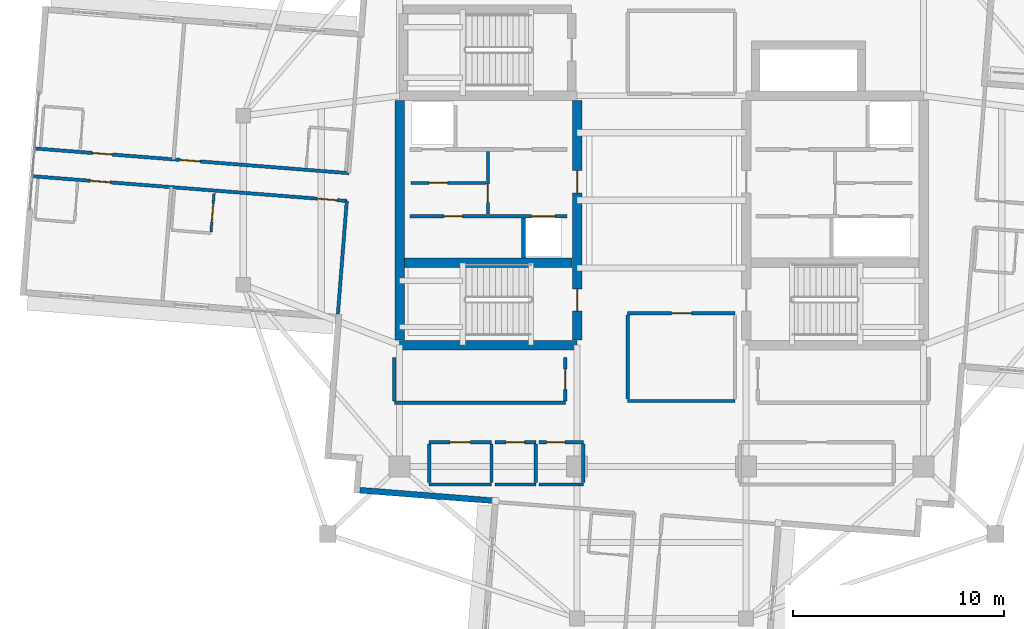
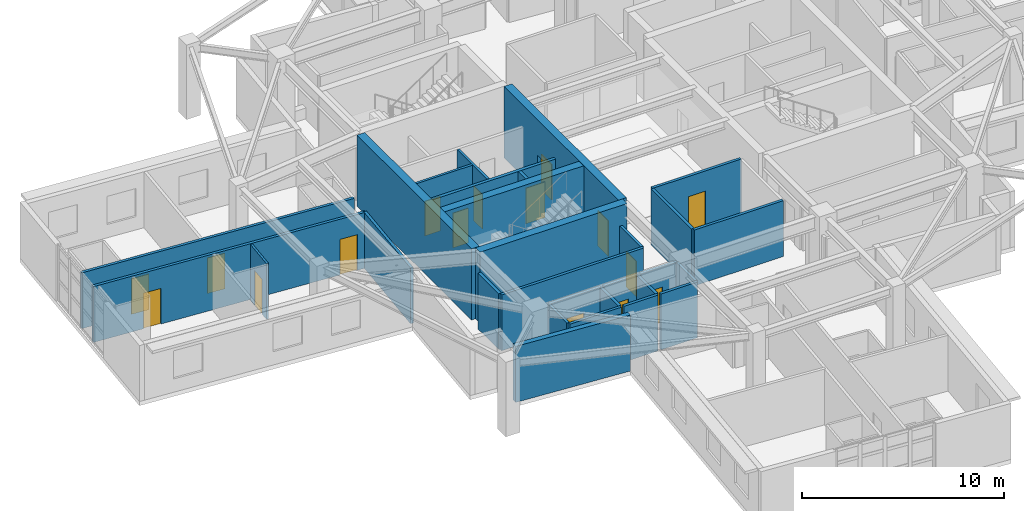
# One storey, part 14 of 23: 29 walls, 16 doors, 16 openings.
"""IFC4 building model written with IfcOpenShell, lengths in metres."""

from ifc_helpers import new_model, si_unit, direction, frame, frame_2d, origin, place, context, subcontext, project, spatial, rectangle, extrude, material, layer, layer_set, type_object, element, fill, save


model = new_model("IFC4")

# Units and contexts
model_context = context("Model", 3, precision=1e-05, world=origin(), true_north=direction((0.0, 1.0)))
body_context = subcontext(model_context, "Body", "Model", "MODEL_VIEW")
ifc_project = project(units=[si_unit("LENGTHUNIT", "METRE"), si_unit("AREAUNIT", "SQUARE_METRE"), si_unit("VOLUMEUNIT", "CUBIC_METRE"), si_unit("PLANEANGLEUNIT", "RADIAN"), si_unit("MASSUNIT", "GRAM", prefix="KILO")], contexts=[model_context])

# Site, building, storey
site_placement = place(None, origin())
site = spatial("IfcSite", under=ifc_project, at=site_placement, CompositionType="ELEMENT")
building_placement = place(site_placement, origin())
building = spatial("IfcBuilding", under=site, at=building_placement, Name="Qingluan Cross Belvedere", CompositionType="ELEMENT")
storey_placement = place(building_placement, frame((0.0, 0.0, 245.39990234375)))
storey = spatial("IfcBuildingStorey", under=building, at=storey_placement, Name="L61", CompositionType="ELEMENT", Elevation=245.39990234375)

# Walls
ifc_material_1 = material(Name="Concrete C50", Category="concrete")
ifc_layer_1 = layer(ifc_material_1, 0.449951171875, Name="CoreShearWall_450")
ifc_layer_set_1 = layer_set([ifc_layer_1], Name="Concrete C50")
wall_type_1 = type_object("IfcWallType", Name="CoreShearWall_450", PredefinedType="SHEAR", material=ifc_layer_set_1)
wall_1_placement = place(storey_placement, frame((-12.39990234375, -6.85009765625, 0.0), z_axis=(0.0, 0.0, 1.0), x_axis=(1.0, 0.0, 0.0)))
element("IfcWall", 1, at=wall_1_placement, inside=storey, type_object=wall_type_1, Name="Split core W shear wall L61-S", PredefinedType="SHEAR", context=body_context, shape_type="SweptSolid", body=[
    extrude(rectangle(XDim=8.39990234375, YDim=0.449951171875, at=frame_2d((4.199951171875, 0.0))), origin(), (0.0, 0.0, 1.0), 4.300048828125),
])
wall_2_placement = place(storey_placement, frame((-12.39990234375, -6.6201171875, 0.0), z_axis=(0.0, 0.0, 1.0), x_axis=(0.0, 1.0, 0.0)))
element("IfcWall", 2, at=wall_2_placement, inside=storey, type_object=wall_type_1, Name="Split core W shear wall L61-W", PredefinedType="SHEAR", context=body_context, shape_type="SweptSolid", body=[
    extrude(rectangle(XDim=11.340087890625, YDim=0.449951171875, at=frame_2d((5.669921875, 0.0))), origin(), (0.0, 0.0, 1.0), 4.300048828125),
])

# Wall, openings, doors
wall_3_placement = place(storey_placement, frame((-4.0, -6.6201171875, 0.0), z_axis=(0.0, 0.0, 1.0), x_axis=(0.0, 1.0, 0.0)))
wall_3 = element("IfcWall", 3, at=wall_3_placement, inside=storey, type_object=wall_type_1, Name="Split core W shear wall L61-E", PredefinedType="SHEAR", context=body_context, shape_type="SweptSolid", body=[
    extrude(rectangle(XDim=11.340087890625, YDim=0.449951171875, at=frame_2d((5.669921875, 0.0))), origin(), (0.0, 0.0, 1.0), 4.300048828125),
])
opening_1_placement = place(wall_3_placement, frame((1.3701171875, 0.0, 0.0)))
opening_1 = element("IfcOpeningElement", 4, at=opening_1_placement, cuts=wall_3, Name="Opening FD-B11", PredefinedType="OPENING", context=body_context, shape_type="SweptSolid", body=[
    extrude(rectangle(XDim=1.050048828125, YDim=2.14990234375, at=frame_2d((0.52490234375, 1.074951171875))), frame((0.0, 0.23486328125, 0.0), z_axis=(0.0, -1.0, 0.0), x_axis=(1.0, 0.0, 0.0)), (0.0, 0.0, 1.0), 0.469970703125),
])
opening_2_placement = place(wall_3_placement, frame((6.969970703125, 0.0, 0.0)))
opening_2 = element("IfcOpeningElement", 5, at=opening_2_placement, cuts=wall_3, Name="Opening FD-B11", PredefinedType="OPENING", context=body_context, shape_type="SweptSolid", body=[
    extrude(rectangle(XDim=1.050048828125, YDim=2.14990234375, at=frame_2d((0.52490234375, 1.074951171875))), frame((0.0, 0.23486328125, 0.0), z_axis=(0.0, -1.0, 0.0), x_axis=(1.0, 0.0, 0.0)), (0.0, 0.0, 1.0), 0.469970703125),
])
ifc_material_2 = material(Name="Steel Class B smoke-seal fire door", Category="steel")
door_type_1 = type_object("IfcDoorType", Name="StairLobbyFireDoor_FDB", OperationType="NOTDEFINED", PredefinedType="DOOR", material=ifc_material_2)
door_1_placement = place(opening_1_placement, origin())
door_1 = element("IfcDoor", 6, at=door_1_placement, inside=storey, type_object=door_type_1, Name="Smoke-proof stair ST1 fire door L61", OperationType="SINGLE_SWING_LEFT", OverallHeight=2.14990234375, OverallWidth=1.050048828125, PredefinedType="DOOR", context=body_context, shape_type="SweptSolid", body=[
    extrude(rectangle(XDim=1.050048828125, YDim=2.14990234375, at=frame_2d((0.52490234375, 1.074951171875))), frame((0.0, 0.02490234375, 0.0), z_axis=(0.0, -1.0, 0.0), x_axis=(1.0, 0.0, 0.0)), (0.0, 0.0, 1.0), 0.050048828125),
])
fill(opening_1, door_1)
door_2_placement = place(opening_2_placement, origin())
door_2 = element("IfcDoor", 7, at=door_2_placement, inside=storey, type_object=door_type_1, Name="Firefighting lobby West fire door L61", OperationType="SINGLE_SWING_LEFT", OverallHeight=2.14990234375, OverallWidth=1.050048828125, PredefinedType="DOOR", context=body_context, shape_type="SweptSolid", body=[
    extrude(rectangle(XDim=1.050048828125, YDim=2.14990234375, at=frame_2d((0.52490234375, 1.074951171875))), frame((0.0, 0.02490234375, 0.0), z_axis=(0.0, -1.0, 0.0), x_axis=(1.0, 0.0, 0.0)), (0.0, 0.0, 1.0), 0.050048828125),
])
fill(opening_2, door_2)

# Wall
wall_4_placement = place(storey_placement, frame((-12.169921875, -2.9599609375, 0.0), z_axis=(0.0, 0.0, 1.0), x_axis=(1.0, 0.0, 0.0)))
element("IfcWall", 8, at=wall_4_placement, inside=storey, type_object=wall_type_1, Name="Split core W shear wall L61-M", PredefinedType="SHEAR", context=body_context, shape_type="SweptSolid", body=[
    extrude(rectangle(XDim=7.93994140625, YDim=0.449951171875, at=frame_2d((3.969970703125, 0.0))), origin(), (0.0, 0.0, 1.0), 4.300048828125),
])

# Wall, opening, door
ifc_material_3 = material(Name="Gypsum plasterboard on steel stud acoustic partition", Category="steel")
ifc_layer_2 = layer(ifc_material_3, 0.159912109375, Name="CorridorPartition_160")
ifc_layer_set_2 = layer_set([ifc_layer_2], Name="Gypsum plasterboard on steel stud acoustic partition")
wall_type_2 = type_object("IfcWallType", Name="CorridorPartition_160", PredefinedType="PARTITIONING", material=ifc_layer_set_2)
wall_5_placement = place(storey_placement, frame((-11.85009765625, 0.830078125, 0.0), z_axis=(0.0, 0.0, 1.0), x_axis=(1.0, 0.0, 0.0)))
wall_5 = element("IfcWall", 9, at=wall_5_placement, inside=storey, type_object=wall_type_2, Name="Partition L61:w", PredefinedType="PARTITIONING", context=body_context, shape_type="SweptSolid", body=[
    extrude(rectangle(XDim=3.552001953125, YDim=0.139892578125, at=frame_2d((1.77587890625, 0.0))), origin(), (0.0, 0.0, 1.0), 3.3701171875),
])
opening_3_placement = place(wall_5_placement, frame((0.85009765625, 0.0, 0.0)))
opening_3 = element("IfcOpeningElement", 10, at=opening_3_placement, cuts=wall_5, Name="Opening FD-B10", PredefinedType="OPENING", context=body_context, shape_type="SweptSolid", body=[
    extrude(rectangle(XDim=0.8798828125, YDim=2.10009765625, at=frame_2d((0.43994140625, 1.050048828125))), frame((0.0, 0.079833984375, 0.0), z_axis=(0.0, -1.0, 0.0), x_axis=(1.0, 0.0, 0.0)), (0.0, 0.0, 1.0), 0.159912109375),
])
ifc_material_4 = material(Name="Steel Class B service fire door", Category="steel")
door_type_2 = type_object("IfcDoorType", Name="RiserServiceFireDoor_FDB", OperationType="NOTDEFINED", PredefinedType="DOOR", material=ifc_material_4)
door_3_placement = place(opening_3_placement, origin())
door_3 = element("IfcDoor", 11, at=door_3_placement, inside=storey, type_object=door_type_2, Name="Service closet inner door L61", OperationType="SINGLE_SWING_RIGHT", OverallHeight=2.10009765625, OverallWidth=0.8798828125, PredefinedType="DOOR", context=body_context, shape_type="SweptSolid", body=[
    extrude(rectangle(XDim=0.8798828125, YDim=2.10009765625, at=frame_2d((0.43994140625, 1.050048828125))), frame((0.0, 0.02490234375, 0.0), z_axis=(0.0, -1.0, 0.0), x_axis=(1.0, 0.0, 0.0)), (0.0, 0.0, 1.0), 0.050048828125),
])
fill(opening_3, door_3)

# Wall
wall_6_placement = place(storey_placement, frame((-11.0, -13.449951171875, 0.0), z_axis=(0.0, 0.0, 1.0), x_axis=(1.0, 0.0, 0.0)))
element("IfcWall", 12, at=wall_6_placement, inside=storey, type_object=wall_type_2, Name="Partition L61:q_sw_occ:S", PredefinedType="PARTITIONING", context=body_context, shape_type="SweptSolid", body=[
    extrude(rectangle(XDim=2.949951171875, YDim=0.159912109375, at=frame_2d((1.47509765625, 0.0))), origin(), (0.0, 0.0, 1.0), 3.3701171875),
])

# Wall, opening, door
wall_7_placement = place(storey_placement, frame((-11.0, -11.449951171875, 0.0), z_axis=(0.0, 0.0, 1.0), x_axis=(1.0, 0.0, 0.0)))
wall_7 = element("IfcWall", 13, at=wall_7_placement, inside=storey, type_object=wall_type_2, Name="Partition L61:q_sw_occ:N", PredefinedType="PARTITIONING", context=body_context, shape_type="SweptSolid", body=[
    extrude(rectangle(XDim=2.949951171875, YDim=0.159912109375, at=frame_2d((1.47509765625, 0.0))), origin(), (0.0, 0.0, 1.0), 3.3701171875),
])
opening_4_placement = place(wall_7_placement, frame((0.9951171875, 0.0, 0.0)))
opening_4 = element("IfcOpeningElement", 14, at=opening_4_placement, cuts=wall_7, Name="Opening GD-10", PredefinedType="OPENING", context=body_context, shape_type="SweptSolid", body=[
    extrude(rectangle(XDim=0.9599609375, YDim=2.14990234375, at=frame_2d((0.47998046875, 1.074951171875))), frame((0.0, 0.08984375, 0.0), z_axis=(0.0, -1.0, 0.0), x_axis=(1.0, 0.0, 0.0)), (0.0, 0.0, 1.0), 0.179931640625),
])
ifc_material_5 = material(Name="Timber oak fire-rated acoustic guestroom door", Category="wood")
door_type_3 = type_object("IfcDoorType", Name="GuestEntryDoor_FD60", OperationType="NOTDEFINED", PredefinedType="DOOR", material=ifc_material_5)
door_4_placement = place(opening_4_placement, origin())
door_4 = element("IfcDoor", 15, at=door_4_placement, inside=storey, type_object=door_type_3, Name="Rare book study L61 door", OperationType="SINGLE_SWING_LEFT", OverallHeight=2.14990234375, OverallWidth=0.9599609375, PredefinedType="DOOR", context=body_context, shape_type="SweptSolid", body=[
    extrude(rectangle(XDim=0.9599609375, YDim=2.14990234375, at=frame_2d((0.47998046875, 1.074951171875))), frame((0.0, 0.02490234375, 0.0), z_axis=(0.0, -1.0, 0.0), x_axis=(1.0, 0.0, 0.0)), (0.0, 0.0, 1.0), 0.050048828125),
])
fill(opening_4, door_4)

# Walls
for number, where, z_axis, x_axis, name in (
    (16, (-11.0, -13.364990234375, 0.0), (0.0, 0.0, 1.0), (0.0, 1.0, 0.0), "Partition L61:q_sw_occ:W"),
    (17, (-8.050048828125, -13.364990234375, 0.0), (0.0, 0.0, 1.0), (0.0, 1.0, 0.0), "Partition L61:q_sw_occ:E"),
):
    element("IfcWall", number, at=place(storey_placement, frame(where, z_axis=z_axis, x_axis=x_axis)), inside=storey, type_object=wall_type_2, Name=name, PredefinedType="PARTITIONING", context=body_context, shape_type="SweptSolid", body=[
        extrude(rectangle(XDim=1.830078125, YDim=0.159912109375, at=frame_2d((0.9150390625, 0.0))), origin(), (0.0, 0.0, 1.0), 3.3701171875),
    ])
wall_8_placement = place(storey_placement, frame((-7.889892578125, -13.449951171875, 0.0), z_axis=(0.0, 0.0, 1.0), x_axis=(1.0, 0.0, 0.0)))
element("IfcWall", 18, at=wall_8_placement, inside=storey, type_object=wall_type_2, Name="Partition L61:hk_linen:S", PredefinedType="PARTITIONING", context=body_context, shape_type="SweptSolid", body=[
    extrude(rectangle(XDim=1.93994140625, YDim=0.159912109375, at=frame_2d((0.969970703125, 0.0))), origin(), (0.0, 0.0, 1.0), 3.3701171875),
])

# Wall, opening, door
wall_9_placement = place(storey_placement, frame((-7.889892578125, -11.449951171875, 0.0), z_axis=(0.0, 0.0, 1.0), x_axis=(1.0, 0.0, 0.0)))
wall_9 = element("IfcWall", 19, at=wall_9_placement, inside=storey, type_object=wall_type_2, Name="Partition L61:hk_linen:N", PredefinedType="PARTITIONING", context=body_context, shape_type="SweptSolid", body=[
    extrude(rectangle(XDim=1.93994140625, YDim=0.159912109375, at=frame_2d((0.969970703125, 0.0))), origin(), (0.0, 0.0, 1.0), 3.3701171875),
])
opening_5_placement = place(wall_9_placement, frame((0.530029296875, 0.0, 0.0)))
opening_5 = element("IfcOpeningElement", 20, at=opening_5_placement, cuts=wall_9, Name="Opening FD-B10", PredefinedType="OPENING", context=body_context, shape_type="SweptSolid", body=[
    extrude(rectangle(XDim=0.8798828125, YDim=2.10009765625, at=frame_2d((0.43994140625, 1.050048828125))), frame((0.0, 0.08984375, 0.0), z_axis=(0.0, -1.0, 0.0), x_axis=(1.0, 0.0, 0.0)), (0.0, 0.0, 1.0), 0.179931640625),
])
door_5_placement = place(opening_5_placement, origin())
door_5 = element("IfcDoor", 21, at=door_5_placement, inside=storey, type_object=door_type_2, Name="Housekeeping and linen store L61 door", OperationType="SINGLE_SWING_RIGHT", OverallHeight=2.10009765625, OverallWidth=0.8798828125, PredefinedType="DOOR", context=body_context, shape_type="SweptSolid", body=[
    extrude(rectangle(XDim=0.8798828125, YDim=2.10009765625, at=frame_2d((0.43994140625, 1.050048828125))), frame((0.0, 0.02490234375, 0.0), z_axis=(0.0, -1.0, 0.0), x_axis=(1.0, 0.0, 0.0)), (0.0, 0.0, 1.0), 0.050048828125),
])
fill(opening_5, door_5)

# Walls
wall_10_placement = place(storey_placement, frame((-5.949951171875, -13.364990234375, 0.0), z_axis=(0.0, 0.0, 1.0), x_axis=(0.0, 1.0, 0.0)))
element("IfcWall", 22, at=wall_10_placement, inside=storey, type_object=wall_type_2, Name="Partition L61:hk_linen:E", PredefinedType="PARTITIONING", context=body_context, shape_type="SweptSolid", body=[
    extrude(rectangle(XDim=1.830078125, YDim=0.159912109375, at=frame_2d((0.9150390625, 0.0))), origin(), (0.0, 0.0, 1.0), 3.3701171875),
])
wall_11_placement = place(storey_placement, frame((-5.7900390625, -13.449951171875, 0.0), z_axis=(0.0, 0.0, 1.0), x_axis=(1.0, 0.0, 0.0)))
element("IfcWall", 23, at=wall_11_placement, inside=storey, type_object=wall_type_2, Name="Partition L61:floor_acc_wc:S", PredefinedType="PARTITIONING", context=body_context, shape_type="SweptSolid", body=[
    extrude(rectangle(XDim=2.090087890625, YDim=0.159912109375, at=frame_2d((1.044921875, 0.0))), origin(), (0.0, 0.0, 1.0), 3.3701171875),
])

# Wall, opening, door
wall_12_placement = place(storey_placement, frame((-5.7900390625, -11.449951171875, 0.0), z_axis=(0.0, 0.0, 1.0), x_axis=(1.0, 0.0, 0.0)))
wall_12 = element("IfcWall", 24, at=wall_12_placement, inside=storey, type_object=wall_type_2, Name="Partition L61:floor_acc_wc:N", PredefinedType="PARTITIONING", context=body_context, shape_type="SweptSolid", body=[
    extrude(rectangle(XDim=2.090087890625, YDim=0.159912109375, at=frame_2d((1.044921875, 0.0))), origin(), (0.0, 0.0, 1.0), 3.3701171875),
])
opening_6_placement = place(wall_12_placement, frame((0.35009765625, 0.0, 0.0)))
opening_6 = element("IfcOpeningElement", 25, at=opening_6_placement, cuts=wall_12, Name="Opening BD-08", PredefinedType="OPENING", context=body_context, shape_type="SweptSolid", body=[
    extrude(rectangle(XDim=0.8798828125, YDim=2.14990234375, at=frame_2d((0.43994140625, 1.074951171875))), frame((0.0, 0.08984375, 0.0), z_axis=(0.0, -1.0, 0.0), x_axis=(1.0, 0.0, 0.0)), (0.0, 0.0, 1.0), 0.179931640625),
])
ifc_material_6 = material(Name="Moisture-sealed timber accessible WC door", Category="wood")
door_type_4 = type_object("IfcDoorType", Name="AccessibleWCDoor_880", OperationType="NOTDEFINED", PredefinedType="DOOR", material=ifc_material_6)
door_6_placement = place(opening_6_placement, origin())
door_6 = element("IfcDoor", 26, at=door_6_placement, inside=storey, type_object=door_type_4, Name="Accessible guest washroom L61 door", OperationType="SINGLE_SWING_LEFT", OverallHeight=2.14990234375, OverallWidth=0.8798828125, PredefinedType="DOOR", context=body_context, shape_type="SweptSolid", body=[
    extrude(rectangle(XDim=0.8798828125, YDim=2.14990234375, at=frame_2d((0.43994140625, 1.074951171875))), frame((0.0, 0.02490234375, 0.0), z_axis=(0.0, -1.0, 0.0), x_axis=(1.0, 0.0, 0.0)), (0.0, 0.0, 1.0), 0.050048828125),
])
fill(opening_6, door_6)

# Walls
wall_13_placement = place(storey_placement, frame((-3.699951171875, -13.364990234375, 0.0), z_axis=(0.0, 0.0, 1.0), x_axis=(0.0, 1.0, 0.0)))
element("IfcWall", 27, at=wall_13_placement, inside=storey, type_object=wall_type_2, Name="Partition L61:floor_acc_wc:E", PredefinedType="PARTITIONING", context=body_context, shape_type="SweptSolid", body=[
    extrude(rectangle(XDim=1.830078125, YDim=0.159912109375, at=frame_2d((0.9150390625, 0.0))), origin(), (0.0, 0.0, 1.0), 3.3701171875),
])
wall_14_placement = place(storey_placement, frame((-1.60009765625, -9.5, 0.0), z_axis=(0.0, 0.0, 1.0), x_axis=(1.0, 0.0, 0.0)))
element("IfcWall", 28, at=wall_14_placement, inside=storey, type_object=wall_type_2, Name="Partition L61:sky_south_alcove:S", PredefinedType="PARTITIONING", context=body_context, shape_type="SweptSolid", body=[
    extrude(rectangle(XDim=5.080078125, YDim=0.159912109375, at=frame_2d((2.5400390625, 0.0))), origin(), (0.0, 0.0, 1.0), 3.3701171875),
])

# Wall, opening, door
wall_15_placement = place(storey_placement, frame((-1.60009765625, -5.35009765625, 0.0), z_axis=(0.0, 0.0, 1.0), x_axis=(1.0, 0.0, 0.0)))
wall_15 = element("IfcWall", 29, at=wall_15_placement, inside=storey, type_object=wall_type_2, Name="Partition L61:sky_south_alcove:N", PredefinedType="PARTITIONING", context=body_context, shape_type="SweptSolid", body=[
    extrude(rectangle(XDim=5.080078125, YDim=0.159912109375, at=frame_2d((2.5400390625, 0.0))), origin(), (0.0, 0.0, 1.0), 3.3701171875),
])
opening_7_placement = place(wall_15_placement, frame((2.06005859375, 0.0, 0.0)))
opening_7 = element("IfcOpeningElement", 30, at=opening_7_placement, cuts=wall_15, Name="Opening GD-10", PredefinedType="OPENING", context=body_context, shape_type="SweptSolid", body=[
    extrude(rectangle(XDim=0.9599609375, YDim=2.14990234375, at=frame_2d((0.47998046875, 1.074951171875))), frame((0.0, 0.08984375, 0.0), z_axis=(0.0, -1.0, 0.0), x_axis=(1.0, 0.0, 0.0)), (0.0, 0.0, 1.0), 0.179931640625),
])
door_7_placement = place(opening_7_placement, origin())
door_7 = element("IfcDoor", 31, at=door_7_placement, inside=storey, type_object=door_type_3, Name="South horizon reading alcove L61 door", OperationType="SINGLE_SWING_LEFT", OverallHeight=2.14990234375, OverallWidth=0.9599609375, PredefinedType="DOOR", context=body_context, shape_type="SweptSolid", body=[
    extrude(rectangle(XDim=0.9599609375, YDim=2.14990234375, at=frame_2d((0.47998046875, 1.074951171875))), frame((0.0, 0.02490234375, 0.0), z_axis=(0.0, -1.0, 0.0), x_axis=(1.0, 0.0, 0.0)), (0.0, 0.0, 1.0), 0.050048828125),
])
fill(opening_7, door_7)

# Walls
wall_16_placement = place(storey_placement, frame((-1.60009765625, -9.4150390625, 0.0), z_axis=(0.0, 0.0, 1.0), x_axis=(0.0, 1.0, 0.0)))
element("IfcWall", 32, at=wall_16_placement, inside=storey, type_object=wall_type_2, Name="Partition L61:sky_south_alcove:W", PredefinedType="PARTITIONING", context=body_context, shape_type="SweptSolid", body=[
    extrude(rectangle(XDim=3.97998046875, YDim=0.159912109375, at=frame_2d((1.989990234375, 0.0))), origin(), (0.0, 0.0, 1.0), 3.3701171875),
])
wall_17_placement = place(storey_placement, frame((-12.64990234375, -9.580078125, 0.0), z_axis=(0.0, 0.0, 1.0), x_axis=(1.0, 0.0, 0.0)))
element("IfcWall", 33, at=wall_17_placement, inside=storey, type_object=wall_type_2, Name="Partition L61:rec_st4_w:S", PredefinedType="PARTITIONING", context=body_context, shape_type="SweptSolid", body=[
    extrude(rectangle(XDim=8.099853515625, YDim=0.159912109375, at=frame_2d((4.0498046875, 0.0))), origin(), (0.0, 0.0, 1.0), 3.3701171875),
])
wall_18_placement = place(storey_placement, frame((-12.64990234375, -9.4951171875, 0.0), z_axis=(0.0, 0.0, 1.0), x_axis=(0.0, 1.0, 0.0)))
element("IfcWall", 34, at=wall_18_placement, inside=storey, type_object=wall_type_2, Name="Partition L61:rec_st4_w:W", PredefinedType="PARTITIONING", context=body_context, shape_type="SweptSolid", body=[
    extrude(rectangle(XDim=2.06005859375, YDim=0.159912109375, at=frame_2d((1.030029296875, 0.0))), origin(), (0.0, 0.0, 1.0), 3.3701171875),
])

# Wall, opening, door
wall_19_placement = place(storey_placement, frame((-4.550048828125, -9.4951171875, 0.0), z_axis=(0.0, 0.0, 1.0), x_axis=(0.0, 1.0, 0.0)))
wall_19 = element("IfcWall", 35, at=wall_19_placement, inside=storey, type_object=wall_type_2, Name="Partition L61:rec_st4_w:E", PredefinedType="PARTITIONING", context=body_context, shape_type="SweptSolid", body=[
    extrude(rectangle(XDim=2.06005859375, YDim=0.159912109375, at=frame_2d((1.030029296875, 0.0))), origin(), (0.0, 0.0, 1.0), 3.3701171875),
])
opening_8_placement = place(wall_19_placement, frame((0.550048828125, 0.0, 0.0)))
opening_8 = element("IfcOpeningElement", 36, at=opening_8_placement, cuts=wall_19, Name="Opening GD-10", PredefinedType="OPENING", context=body_context, shape_type="SweptSolid", body=[
    extrude(rectangle(XDim=0.9599609375, YDim=2.14990234375, at=frame_2d((0.47998046875, 1.074951171875))), frame((0.0, 0.08984375, 0.0), z_axis=(0.0, -1.0, 0.0), x_axis=(1.0, 0.0, 0.0)), (0.0, 0.0, 1.0), 0.179931640625),
])
door_8_placement = place(opening_8_placement, origin())
door_8 = element("IfcDoor", 37, at=door_8_placement, inside=storey, type_object=door_type_3, Name="Southwest club reading room L61 door", OperationType="SINGLE_SWING_LEFT", OverallHeight=2.14990234375, OverallWidth=0.9599609375, PredefinedType="DOOR", context=body_context, shape_type="SweptSolid", body=[
    extrude(rectangle(XDim=0.9599609375, YDim=2.14990234375, at=frame_2d((0.47998046875, 1.074951171875))), frame((0.0, 0.02490234375, 0.0), z_axis=(0.0, -1.0, 0.0), x_axis=(1.0, 0.0, 0.0)), (0.0, 0.0, 1.0), 0.050048828125),
])
fill(opening_8, door_8)

# Wall, openings, doors
wall_20_placement = place(storey_placement, frame((-14.794921875, 1.28466796875, 0.0), z_axis=(0.0, 0.0, 1.0), x_axis=(-0.996917296455, 0.078459569392, 0.0)))
wall_20 = element("IfcWall", 38, at=wall_20_placement, inside=storey, type_object=wall_type_2, Name="Partition L61:W:c0", PredefinedType="PARTITIONING", context=body_context, shape_type="SweptSolid", body=[
    extrude(rectangle(XDim=14.929931640625, YDim=0.159912109375, at=frame_2d((7.46484375, 0.0))), origin(), (0.0, 0.0, 1.0), 3.3701171875),
])
opening_9_placement = place(wall_20_placement, frame((7.071044921875, 0.0, 0.0)))
opening_9 = element("IfcOpeningElement", 39, at=opening_9_placement, cuts=wall_20, Name="Opening GD-10", PredefinedType="OPENING", context=body_context, shape_type="SweptSolid", body=[
    extrude(rectangle(XDim=0.9599609375, YDim=2.14990234375, at=frame_2d((0.47998046875, 1.074951171875))), frame((0.0, 0.08984375, 0.0), z_axis=(0.0, -1.0, 0.0), x_axis=(1.0, 0.0, 0.0)), (0.0, 0.0, 1.0), 0.179931640625),
])
opening_10_placement = place(wall_20_placement, frame((11.221923828125, 0.0, 0.0)))
opening_10 = element("IfcOpeningElement", 40, at=opening_10_placement, cuts=wall_20, Name="Opening GD-10", PredefinedType="OPENING", context=body_context, shape_type="SweptSolid", body=[
    extrude(rectangle(XDim=0.9599609375, YDim=2.14990234375, at=frame_2d((0.47998046875, 1.074951171875))), frame((0.0, 0.08984375, 0.0), z_axis=(0.0, -1.0, 0.0), x_axis=(1.0, 0.0, 0.0)), (0.0, 0.0, 1.0), 0.179931640625),
])
door_9_placement = place(opening_9_placement, origin())
door_9 = element("IfcDoor", 41, at=door_9_placement, inside=storey, type_object=door_type_3, Name="Guest entry fire door 6105", OperationType="SINGLE_SWING_RIGHT", OverallHeight=2.14990234375, OverallWidth=0.9599609375, PredefinedType="DOOR", context=body_context, shape_type="SweptSolid", body=[
    extrude(rectangle(XDim=0.9599609375, YDim=2.14990234375, at=frame_2d((0.47998046875, 1.074951171875))), frame((0.0, 0.02490234375, 0.0), z_axis=(0.0, -1.0, 0.0), x_axis=(1.0, 0.0, 0.0)), (0.0, 0.0, 1.0), 0.050048828125),
])
fill(opening_9, door_9)
door_10_placement = place(opening_10_placement, origin())
door_10 = element("IfcDoor", 42, at=door_10_placement, inside=storey, type_object=door_type_3, Name="Guest entry fire door 6106", OperationType="SINGLE_SWING_RIGHT", OverallHeight=2.14990234375, OverallWidth=0.9599609375, PredefinedType="DOOR", context=body_context, shape_type="SweptSolid", body=[
    extrude(rectangle(XDim=0.9599609375, YDim=2.14990234375, at=frame_2d((0.47998046875, 1.074951171875))), frame((0.0, 0.02490234375, 0.0), z_axis=(0.0, -1.0, 0.0), x_axis=(1.0, 0.0, 0.0)), (0.0, 0.0, 1.0), 0.050048828125),
])
fill(opening_10, door_10)

wall_21_placement = place(storey_placement, frame((-14.8984375, -0.03125, 0.0), z_axis=(0.0, 0.0, 1.0), x_axis=(-0.996917296455, 0.078459569392, 0.0)))
wall_21 = element("IfcWall", 43, at=wall_21_placement, inside=storey, type_object=wall_type_2, Name="Partition L61:W:c1", PredefinedType="PARTITIONING", context=body_context, shape_type="SweptSolid", body=[
    extrude(rectangle(XDim=14.929931640625, YDim=0.159912109375, at=frame_2d((7.46484375, 0.0))), origin(), (0.0, 0.0, 1.0), 3.3701171875),
])
opening_11_placement = place(wall_21_placement, frame((0.449951171875, 0.0, 0.0)))
opening_11 = element("IfcOpeningElement", 44, at=opening_11_placement, cuts=wall_21, Name="Opening GD-10", PredefinedType="OPENING", context=body_context, shape_type="SweptSolid", body=[
    extrude(rectangle(XDim=0.9599609375, YDim=2.14990234375, at=frame_2d((0.47998046875, 1.074951171875))), frame((0.0, 0.08984375, 0.0), z_axis=(0.0, -1.0, 0.0), x_axis=(1.0, 0.0, 0.0)), (0.0, 0.0, 1.0), 0.179931640625),
])
opening_12_placement = place(wall_21_placement, frame((11.221923828125, 0.0, 0.0)))
opening_12 = element("IfcOpeningElement", 45, at=opening_12_placement, cuts=wall_21, Name="Opening GD-10", PredefinedType="OPENING", context=body_context, shape_type="SweptSolid", body=[
    extrude(rectangle(XDim=0.9599609375, YDim=2.14990234375, at=frame_2d((0.47998046875, 1.074951171875))), frame((0.0, 0.08984375, 0.0), z_axis=(0.0, -1.0, 0.0), x_axis=(1.0, 0.0, 0.0)), (0.0, 0.0, 1.0), 0.179931640625),
])
door_11_placement = place(opening_11_placement, origin())
door_11 = element("IfcDoor", 46, at=door_11_placement, inside=storey, type_object=door_type_3, Name="Guest entry fire door 6107", OperationType="SINGLE_SWING_RIGHT", OverallHeight=2.14990234375, OverallWidth=0.9599609375, PredefinedType="DOOR", context=body_context, shape_type="SweptSolid", body=[
    extrude(rectangle(XDim=0.9599609375, YDim=2.14990234375, at=frame_2d((0.47998046875, 1.074951171875))), frame((0.0, 0.02490234375, 0.0), z_axis=(0.0, -1.0, 0.0), x_axis=(1.0, 0.0, 0.0)), (0.0, 0.0, 1.0), 0.050048828125),
])
fill(opening_11, door_11)
door_12_placement = place(opening_12_placement, origin())
door_12 = element("IfcDoor", 47, at=door_12_placement, inside=storey, type_object=door_type_3, Name="Guest entry fire door 6108", OperationType="SINGLE_SWING_RIGHT", OverallHeight=2.14990234375, OverallWidth=0.9599609375, PredefinedType="DOOR", context=body_context, shape_type="SweptSolid", body=[
    extrude(rectangle(XDim=0.9599609375, YDim=2.14990234375, at=frame_2d((0.47998046875, 1.074951171875))), frame((0.0, 0.02490234375, 0.0), z_axis=(0.0, -1.0, 0.0), x_axis=(1.0, 0.0, 0.0)), (0.0, 0.0, 1.0), 0.050048828125),
])
fill(opening_12, door_12)

# Wall
wall_22_placement = place(storey_placement, frame((-14.8984375, -0.03125, 0.0), z_axis=(0.0, 0.0, 1.0), x_axis=(-0.078440999993, -0.996918757733, 0.0)))
element("IfcWall", 48, at=wall_22_placement, inside=storey, type_object=wall_type_2, Name="Partition L61:W:s1", PredefinedType="PARTITIONING", context=body_context, shape_type="SweptSolid", body=[
    extrude(rectangle(XDim=5.3720703125, YDim=0.159912109375, at=frame_2d((2.68603515625, 0.0))), origin(), (0.0, 0.0, 1.0), 3.3701171875),
])

# Wall, opening, door
ifc_material_7 = material(Name="Moisture-resistant gypsum board lining")
ifc_layer_3 = layer(ifc_material_7, 0.1201171875, Name="EnsuiteWetPartition_120")
ifc_layer_set_3 = layer_set([ifc_layer_3], Name="Moisture-resistant gypsum board lining")
wall_type_3 = type_object("IfcWallType", Name="EnsuiteWetPartition_120", PredefinedType="PARTITIONING", material=ifc_layer_set_3)
wall_23_placement = place(storey_placement, frame((-21.32373046875, -1.49169921875, 0.0), z_axis=(0.0, 0.0, 1.0), x_axis=(0.0784709492, 0.996916400774, 0.0)))
wall_23 = element("IfcWall", 49, at=wall_23_placement, inside=storey, type_object=wall_type_3, Name="Partition L61:W:bs1_0", PredefinedType="PARTITIONING", context=body_context, shape_type="SweptSolid", body=[
    extrude(rectangle(XDim=1.820068359375, YDim=0.1201171875, at=frame_2d((0.91015625, 0.0))), origin(), (0.0, 0.0, 1.0), 3.3701171875),
])
opening_13_placement = place(wall_23_placement, frame((0.469970703125, 0.0, 0.0)))
opening_13 = element("IfcOpeningElement", 50, at=opening_13_placement, cuts=wall_23, Name="Opening BD-09", PredefinedType="OPENING", context=body_context, shape_type="SweptSolid", body=[
    extrude(rectangle(XDim=0.8798828125, YDim=2.10009765625, at=frame_2d((0.43994140625, 1.050048828125))), frame((0.0, 0.070068359375, 0.0), z_axis=(0.0, -1.0, 0.0), x_axis=(1.0, 0.0, 0.0)), (0.0, 0.0, 1.0), 0.14013671875),
])
ifc_material_8 = material(Name="Moisture-sealed timber en-suite door", Category="wood")
door_type_5 = type_object("IfcDoorType", Name="BathroomDoor_880", OperationType="NOTDEFINED", PredefinedType="DOOR", material=ifc_material_8)
door_13_placement = place(opening_13_placement, origin())
door_13 = element("IfcDoor", 51, at=door_13_placement, inside=storey, type_object=door_type_5, Name="Bathroom door 6107", OperationType="SINGLE_SWING_LEFT", OverallHeight=2.10009765625, OverallWidth=0.8798828125, PredefinedType="DOOR", context=body_context, shape_type="SweptSolid", body=[
    extrude(rectangle(XDim=0.8798828125, YDim=2.10009765625, at=frame_2d((0.43994140625, 1.050048828125))), frame((0.0, 0.02490234375, 0.0), z_axis=(0.0, -1.0, 0.0), x_axis=(1.0, 0.0, 0.0)), (0.0, 0.0, 1.0), 0.050048828125),
])
fill(opening_13, door_13)

# Wall
ifc_material_9 = material(Name="Precast concrete C45", Category="concrete")
ifc_layer_4 = layer(ifc_material_9, 0.280029296875, Name="PrecastFacadeWall_280")
ifc_layer_set_4 = layer_set([ifc_layer_4], Name="Precast concrete C45")
wall_type_4 = type_object("IfcWallType", Name="PrecastFacadeWall_280", PredefinedType="STANDARD", material=ifc_layer_set_4)
wall_24_placement = place(storey_placement, frame((-14.280517578125, -13.721923828125, 0.0), z_axis=(0.0, 0.0, 1.0), x_axis=(0.99691915642, -0.078435932851, 0.0)))
element("IfcWall", 52, at=wall_24_placement, inside=storey, type_object=wall_type_4, Name="Corner wall L61-SW4", PredefinedType="STANDARD", context=body_context, shape_type="SweptSolid", body=[
    extrude(rectangle(XDim=6.2998046875, YDim=0.280029296875, at=frame_2d((3.14990234375, 0.0))), origin(), (0.0, 0.0, 1.0), 3.380126953125),
])

# Wall, openings, doors
ifc_material_10 = material(Name="Concrete C40", Category="concrete")
ifc_layer_5 = layer(ifc_material_10, 0.219970703125, Name="ShaftEnclosureWall_250")
ifc_layer_set_5 = layer_set([ifc_layer_5], Name="Concrete C40")
wall_type_5 = type_object("IfcWallType", Name="ShaftEnclosureWall_250", PredefinedType="SOLIDWALL", material=ifc_layer_set_5)
wall_25_placement = place(storey_placement, frame((-11.89990234375, -0.75, 0.0), z_axis=(0.0, 0.0, 1.0), x_axis=(1.0, 0.0, 0.0)))
wall_25 = element("IfcWall", 53, at=wall_25_placement, inside=storey, type_object=wall_type_5, Name="Core-W mid hoistway wall L61", PredefinedType="SOLIDWALL", context=body_context, shape_type="SweptSolid", body=[
    extrude(rectangle(XDim=7.419921875, YDim=0.179931640625, at=frame_2d((3.7099609375, 0.0))), origin(), (0.0, 0.0, 1.0), 3.3701171875),
])
opening_14_placement = place(wall_25_placement, frame((5.75, 0.0, 0.0)))
opening_14 = element("IfcOpeningElement", 54, at=opening_14_placement, cuts=wall_25, Name="Opening LD-11", PredefinedType="OPENING", context=body_context, shape_type="SweptSolid", body=[
    extrude(rectangle(XDim=1.10009765625, YDim=2.14990234375, at=frame_2d((0.550048828125, 1.074951171875))), frame((0.0, 0.099853515625, 0.0), z_axis=(0.0, -1.0, 0.0), x_axis=(1.0, 0.0, 0.0)), (0.0, 0.0, 1.0), 0.199951171875),
])
opening_15_placement = place(wall_25_placement, frame((1.60009765625, 0.0, 0.0)))
opening_15 = element("IfcOpeningElement", 55, at=opening_15_placement, cuts=wall_25, Name="Opening FD-B10", PredefinedType="OPENING", context=body_context, shape_type="SweptSolid", body=[
    extrude(rectangle(XDim=0.8798828125, YDim=2.10009765625, at=frame_2d((0.43994140625, 1.050048828125))), frame((0.0, 0.099853515625, 0.0), z_axis=(0.0, -1.0, 0.0), x_axis=(1.0, 0.0, 0.0)), (0.0, 0.0, 1.0), 0.199951171875),
])
ifc_material_11 = material(Name="Brushed stainless steel centre-opening lift landing door", Category="steel")
door_type_6 = type_object("IfcDoorType", Name="LiftLandingSlidingDoor_1100", OperationType="DOUBLE_DOOR_SLIDING", PredefinedType="DOOR", material=ifc_material_11)
door_14_placement = place(opening_14_placement, origin())
door_14 = element("IfcDoor", 56, at=door_14_placement, inside=storey, type_object=door_type_6, Name="Lift landing sliding door LP8 L61", OperationType="DOUBLE_DOOR_SLIDING", OverallHeight=2.14990234375, OverallWidth=1.10009765625, PredefinedType="DOOR", context=body_context, shape_type="SweptSolid", body=[
    extrude(rectangle(XDim=1.10009765625, YDim=2.14990234375, at=frame_2d((0.550048828125, 1.074951171875))), frame((0.0, 0.02490234375, 0.0), z_axis=(0.0, -1.0, 0.0), x_axis=(1.0, 0.0, 0.0)), (0.0, 0.0, 1.0), 0.050048828125),
])
fill(opening_14, door_14)
door_15_placement = place(opening_15_placement, origin())
door_15 = element("IfcDoor", 57, at=door_15_placement, inside=storey, type_object=door_type_2, Name="Upper-zone electrical room door L61", OperationType="SINGLE_SWING_RIGHT", OverallHeight=2.10009765625, OverallWidth=0.8798828125, PredefinedType="DOOR", context=body_context, shape_type="SweptSolid", body=[
    extrude(rectangle(XDim=0.8798828125, YDim=2.10009765625, at=frame_2d((0.43994140625, 1.050048828125))), frame((0.0, 0.02490234375, 0.0), z_axis=(0.0, -1.0, 0.0), x_axis=(1.0, 0.0, 0.0)), (0.0, 0.0, 1.0), 0.050048828125),
])
fill(opening_15, door_15)

# Wall
wall_26_placement = place(storey_placement, frame((-6.5400390625, -2.72998046875, 0.0), z_axis=(0.0, 0.0, 1.0), x_axis=(0.0, 1.0, 0.0)))
element("IfcWall", 58, at=wall_26_placement, inside=storey, type_object=wall_type_5, Name="Hoistway enclosure divider LP8W L61", PredefinedType="SOLIDWALL", context=body_context, shape_type="SweptSolid", body=[
    extrude(rectangle(XDim=1.889892578125, YDim=0.179931640625, at=frame_2d((0.94482421875, 0.0))), origin(), (0.0, 0.0, 1.0), 3.3701171875),
])

# Wall, opening, door
wall_27_placement = place(storey_placement, frame((-8.219970703125, -0.64990234375, 0.0), z_axis=(0.0, 0.0, 1.0), x_axis=(0.0, 1.0, 0.0)))
wall_27 = element("IfcWall", 59, at=wall_27_placement, inside=storey, type_object=wall_type_5, Name="Core-W service corridor wall L61", PredefinedType="SOLIDWALL", context=body_context, shape_type="SweptSolid", body=[
    extrude(rectangle(XDim=2.9599609375, YDim=0.139892578125, at=frame_2d((1.47998046875, 0.0))), origin(), (0.0, 0.0, 1.0), 3.3701171875),
])
opening_16_placement = place(wall_27_placement, frame((0.550048828125, 0.0, 0.0)))
opening_16 = element("IfcOpeningElement", 60, at=opening_16_placement, cuts=wall_27, Name="Opening FD-B10", PredefinedType="OPENING", context=body_context, shape_type="SweptSolid", body=[
    extrude(rectangle(XDim=0.8798828125, YDim=2.10009765625, at=frame_2d((0.43994140625, 1.050048828125))), frame((0.0, 0.079833984375, 0.0), z_axis=(0.0, -1.0, 0.0), x_axis=(1.0, 0.0, 0.0)), (0.0, 0.0, 1.0), 0.159912109375),
])
door_16_placement = place(opening_16_placement, origin())
door_16 = element("IfcDoor", 61, at=door_16_placement, inside=storey, type_object=door_type_2, Name="Core-W service room door L61", OperationType="SINGLE_SWING_RIGHT", OverallHeight=2.10009765625, OverallWidth=0.8798828125, PredefinedType="DOOR", context=body_context, shape_type="SweptSolid", body=[
    extrude(rectangle(XDim=0.8798828125, YDim=2.10009765625, at=frame_2d((0.43994140625, 1.050048828125))), frame((0.0, 0.02490234375, 0.0), z_axis=(0.0, -1.0, 0.0), x_axis=(1.0, 0.0, 0.0)), (0.0, 0.0, 1.0), 0.050048828125),
])
fill(opening_16, door_16)

save(model, "model.ifc")
